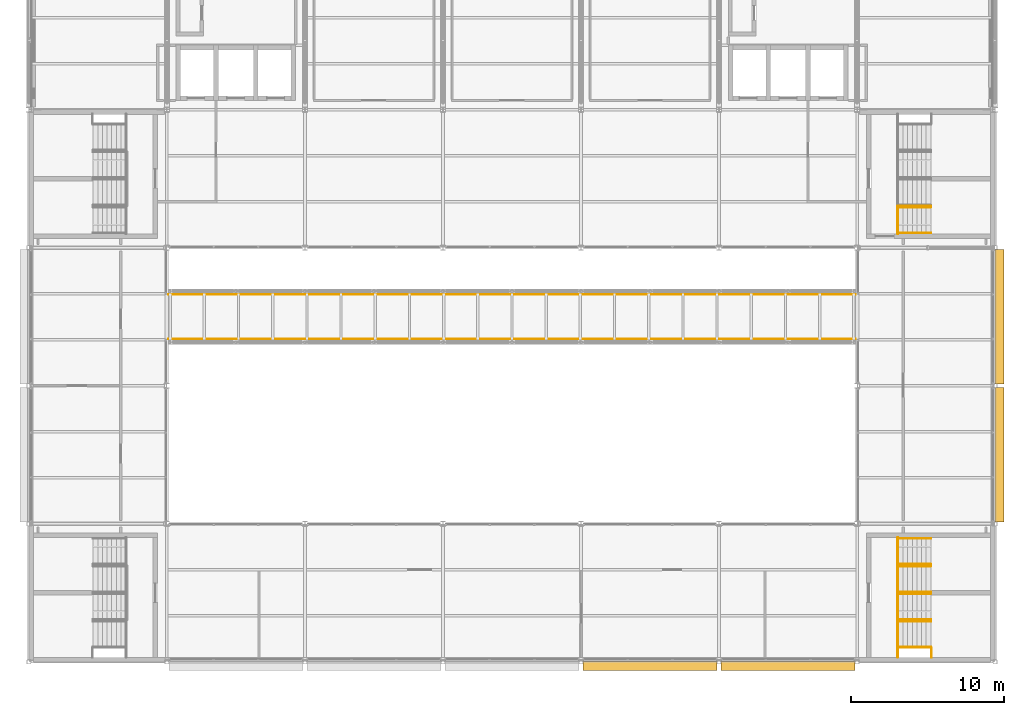
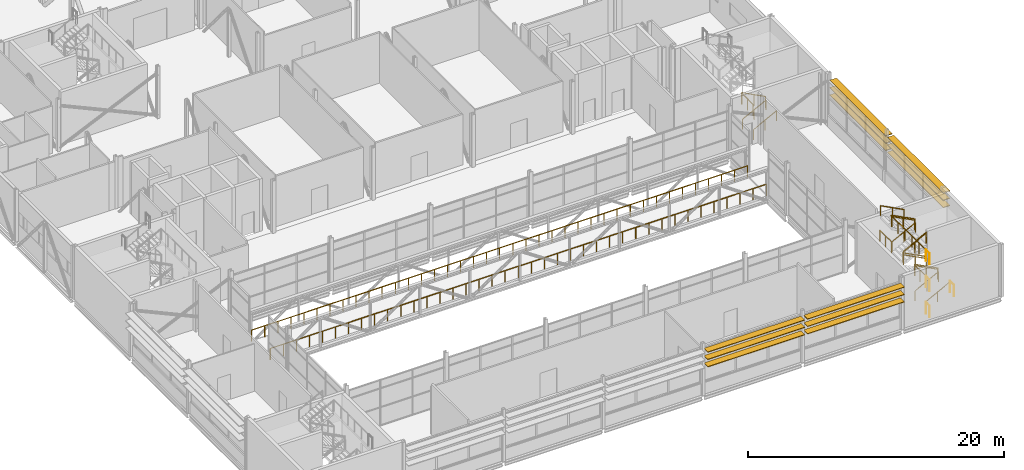
# One storey, part 90 of 94: 25 railings, 12 shading devices.
"""IFC4 building model written with IfcOpenShell, lengths in metres."""

from ifc_helpers import new_model, si_unit, direction, frame, origin, origin_2d, place, context, subcontext, project, spatial, rectangle, circle, extrude, material, layer, layer_set, type_object, element, save


model = new_model("IFC4")

# Units and contexts
model_context = context("Model", 3, precision=1e-05, world=origin(), true_north=direction((0.0, 1.0)))
body_context = subcontext(model_context, "Body", "Model", "MODEL_VIEW")
ifc_project = project(units=[si_unit("LENGTHUNIT", "METRE"), si_unit("AREAUNIT", "SQUARE_METRE"), si_unit("VOLUMEUNIT", "CUBIC_METRE"), si_unit("PLANEANGLEUNIT", "RADIAN"), si_unit("MASSUNIT", "GRAM", prefix="KILO")], contexts=[model_context])

# Site, building, storey
site_placement = place(None, origin())
site = spatial("IfcSite", under=ifc_project, at=site_placement, CompositionType="ELEMENT")
building_placement = place(site_placement, origin())
building = spatial("IfcBuilding", under=site, at=building_placement, Name="Shorebreak Coast Museum", CompositionType="ELEMENT")
storey_placement = place(building_placement, frame((0.0, 0.0, 31.0)))
storey = spatial("IfcBuildingStorey", under=building, at=storey_placement, Name="L05", CompositionType="ELEMENT", Elevation=31.0)

# Shading devices
ifc_material_1 = material(Name="Aluminium", Category="aluminium")
ifc_layer = layer(ifc_material_1, 0.06005859375)
ifc_layer_set = layer_set([ifc_layer], Name="Aluminium")
shading_device_type = type_object("IfcShadingDeviceType", Name="Aluminium louvre blade 60 x 600", PredefinedType="USERDEFINED", material=ifc_layer_set)
for number, where, z_axis, x_axis, name in (
    (1, (117.27490234375, 67.5, 4.238525390625), (0.0, 0.0, 1.0), (1.0, 0.0, 0.0), "Aluminium louvre L05 E31"),
    (2, (117.27490234375, 67.5, 3.53857421875), (0.0, 0.0, 1.0), (1.0, 0.0, 0.0), "Aluminium louvre L05 E32"),
    (3, (117.27490234375, 67.5, 2.838623046875), (0.0, 0.0, 1.0), (1.0, 0.0, 0.0), "Aluminium louvre L05 E33"),
    (4, (117.27490234375, 76.5, 4.238525390625), (0.0, 0.0, 1.0), (1.0, 0.0, 0.0), "Aluminium louvre L05 E34"),
    (5, (117.27490234375, 76.5, 3.53857421875), (0.0, 0.0, 1.0), (1.0, 0.0, 0.0), "Aluminium louvre L05 E35"),
    (6, (117.27490234375, 76.5, 2.838623046875), (0.0, 0.0, 1.0), (1.0, 0.0, 0.0), "Aluminium louvre L05 E36"),
):
    element("IfcShadingDevice", number, at=place(storey_placement, frame(where, z_axis=z_axis, x_axis=x_axis)), inside=storey, type_object=shading_device_type, Name=name, ObjectType="LOUVRE", PredefinedType="USERDEFINED", context=body_context, shape_type="SweptSolid", body=[
        extrude(rectangle(XDim=0.60009765625, YDim=8.75, at=origin_2d()), origin(), (0.0, 0.0, 1.0), 0.06005859375),
    ])
for number, where, z_axis, x_axis, name in (
    (7, (94.5, 53.72509765625, 4.337890625), (0.0, 0.0, 1.0), (1.0, 0.0, 0.0), "Aluminium louvre L05 S46"),
    (8, (94.5, 53.72509765625, 3.6376953125), (0.0, 0.0, 1.0), (1.0, 0.0, 0.0), "Aluminium louvre L05 S47"),
    (9, (94.5, 53.72509765625, 2.937744140625), (0.0, 0.0, 1.0), (1.0, 0.0, 0.0), "Aluminium louvre L05 S48"),
    (10, (103.5, 53.72509765625, 4.337890625), (0.0, 0.0, 1.0), (1.0, 0.0, 0.0), "Aluminium louvre L05 S49"),
    (11, (103.5, 53.72509765625, 3.6376953125), (0.0, 0.0, 1.0), (1.0, 0.0, 0.0), "Aluminium louvre L05 S50"),
    (12, (103.5, 53.72509765625, 2.937744140625), (0.0, 0.0, 1.0), (1.0, 0.0, 0.0), "Aluminium louvre L05 S51"),
):
    element("IfcShadingDevice", number, at=place(storey_placement, frame(where, z_axis=z_axis, x_axis=x_axis)), inside=storey, type_object=shading_device_type, Name=name, ObjectType="LOUVRE", PredefinedType="USERDEFINED", context=body_context, shape_type="SweptSolid", body=[
        extrude(rectangle(XDim=8.75, YDim=0.60009765625, at=origin_2d()), origin(), (0.0, 0.0, 1.0), 0.06005859375),
    ])

# Railings
ifc_material_2 = material(Name="Steel Grade 300", Category="steel")
railing_type_1 = type_object("IfcRailingType", Name="Bridge guard 1100", PredefinedType="GUARDRAIL", material=ifc_material_2)
railing_1_placement = place(storey_placement, frame((63.114501953125, 75.050048828125, 0.0)))
element("IfcRailing", 13, at=railing_1_placement, inside=storey, type_object=railing_type_1, Name="Guard bridge BR3 S", PredefinedType="GUARDRAIL", context=body_context, shape_type="SweptSolid", body=[
    extrude(circle(Radius=0.02490234375, at=origin_2d()), frame((0.0, 0.0, 1.0751953125), z_axis=(1.0, 0.0, 0.0), x_axis=(0.0, 1.0, 0.0)), (0.0, 0.0, 1.0), 44.77099609375),
    extrude(circle(Radius=0.02001953125, at=origin_2d()), origin(), (0.0, 0.0, 1.0), 1.050048828125),
    extrude(circle(Radius=0.02001953125, at=origin_2d()), frame((1.17822265625, 0.0, 0.0)), (0.0, 0.0, 1.0), 1.050048828125),
    extrude(circle(Radius=0.02001953125, at=origin_2d()), frame((2.3564453125, 0.0, 0.0)), (0.0, 0.0, 1.0), 1.050048828125),
    extrude(circle(Radius=0.02001953125, at=origin_2d()), frame((3.53466796875, 0.0, 0.0)), (0.0, 0.0, 1.0), 1.050048828125),
    extrude(circle(Radius=0.02001953125, at=origin_2d()), frame((4.712646484375, 0.0, 0.0)), (0.0, 0.0, 1.0), 1.050048828125),
    extrude(circle(Radius=0.02001953125, at=origin_2d()), frame((5.890869140625, 0.0, 0.0)), (0.0, 0.0, 1.0), 1.050048828125),
    extrude(circle(Radius=0.02001953125, at=origin_2d()), frame((7.069091796875, 0.0, 0.0)), (0.0, 0.0, 1.0), 1.050048828125),
    extrude(circle(Radius=0.02001953125, at=origin_2d()), frame((8.247314453125, 0.0, 0.0)), (0.0, 0.0, 1.0), 1.050048828125),
    extrude(circle(Radius=0.02001953125, at=origin_2d()), frame((9.425537109375, 0.0, 0.0)), (0.0, 0.0, 1.0), 1.050048828125),
    extrude(circle(Radius=0.02001953125, at=origin_2d()), frame((10.603759765625, 0.0, 0.0)), (0.0, 0.0, 1.0), 1.050048828125),
    extrude(circle(Radius=0.02001953125, at=origin_2d()), frame((11.78173828125, 0.0, 0.0)), (0.0, 0.0, 1.0), 1.050048828125),
    extrude(circle(Radius=0.02001953125, at=origin_2d()), frame((12.9599609375, 0.0, 0.0)), (0.0, 0.0, 1.0), 1.050048828125),
    extrude(circle(Radius=0.02001953125, at=origin_2d()), frame((14.13818359375, 0.0, 0.0)), (0.0, 0.0, 1.0), 1.050048828125),
    extrude(circle(Radius=0.02001953125, at=origin_2d()), frame((15.31640625, 0.0, 0.0)), (0.0, 0.0, 1.0), 1.050048828125),
    extrude(circle(Radius=0.02001953125, at=origin_2d()), frame((16.49462890625, 0.0, 0.0)), (0.0, 0.0, 1.0), 1.050048828125),
    extrude(circle(Radius=0.02001953125, at=origin_2d()), frame((17.6728515625, 0.0, 0.0)), (0.0, 0.0, 1.0), 1.050048828125),
    extrude(circle(Radius=0.02001953125, at=origin_2d()), frame((18.850830078125, 0.0, 0.0)), (0.0, 0.0, 1.0), 1.050048828125),
    extrude(circle(Radius=0.02001953125, at=origin_2d()), frame((20.029052734375, 0.0, 0.0)), (0.0, 0.0, 1.0), 1.050048828125),
    extrude(circle(Radius=0.02001953125, at=origin_2d()), frame((21.207275390625, 0.0, 0.0)), (0.0, 0.0, 1.0), 1.050048828125),
    extrude(circle(Radius=0.02001953125, at=origin_2d()), frame((22.385498046875, 0.0, 0.0)), (0.0, 0.0, 1.0), 1.050048828125),
    extrude(circle(Radius=0.02001953125, at=origin_2d()), frame((23.563720703125, 0.0, 0.0)), (0.0, 0.0, 1.0), 1.050048828125),
    extrude(circle(Radius=0.02001953125, at=origin_2d()), frame((24.741943359375, 0.0, 0.0)), (0.0, 0.0, 1.0), 1.050048828125),
    extrude(circle(Radius=0.02001953125, at=origin_2d()), frame((25.920166015625, 0.0, 0.0)), (0.0, 0.0, 1.0), 1.050048828125),
    extrude(circle(Radius=0.02001953125, at=origin_2d()), frame((27.09814453125, 0.0, 0.0)), (0.0, 0.0, 1.0), 1.050048828125),
    extrude(circle(Radius=0.02001953125, at=origin_2d()), frame((28.2763671875, 0.0, 0.0)), (0.0, 0.0, 1.0), 1.050048828125),
    extrude(circle(Radius=0.02001953125, at=origin_2d()), frame((29.45458984375, 0.0, 0.0)), (0.0, 0.0, 1.0), 1.050048828125),
    extrude(circle(Radius=0.02001953125, at=origin_2d()), frame((30.6328125, 0.0, 0.0)), (0.0, 0.0, 1.0), 1.050048828125),
    extrude(circle(Radius=0.02001953125, at=origin_2d()), frame((31.81103515625, 0.0, 0.0)), (0.0, 0.0, 1.0), 1.050048828125),
    extrude(circle(Radius=0.02001953125, at=origin_2d()), frame((32.9892578125, 0.0, 0.0)), (0.0, 0.0, 1.0), 1.050048828125),
    extrude(circle(Radius=0.02001953125, at=origin_2d()), frame((34.167236328125, 0.0, 0.0)), (0.0, 0.0, 1.0), 1.050048828125),
    extrude(circle(Radius=0.02001953125, at=origin_2d()), frame((35.345458984375, 0.0, 0.0)), (0.0, 0.0, 1.0), 1.050048828125),
    extrude(circle(Radius=0.02001953125, at=origin_2d()), frame((36.523681640625, 0.0, 0.0)), (0.0, 0.0, 1.0), 1.050048828125),
    extrude(circle(Radius=0.02001953125, at=origin_2d()), frame((37.701904296875, 0.0, 0.0)), (0.0, 0.0, 1.0), 1.050048828125),
    extrude(circle(Radius=0.02001953125, at=origin_2d()), frame((38.880126953125, 0.0, 0.0)), (0.0, 0.0, 1.0), 1.050048828125),
    extrude(circle(Radius=0.02001953125, at=origin_2d()), frame((40.058349609375, 0.0, 0.0)), (0.0, 0.0, 1.0), 1.050048828125),
    extrude(circle(Radius=0.02001953125, at=origin_2d()), frame((41.236328125, 0.0, 0.0)), (0.0, 0.0, 1.0), 1.050048828125),
    extrude(circle(Radius=0.02001953125, at=origin_2d()), frame((42.41455078125, 0.0, 0.0)), (0.0, 0.0, 1.0), 1.050048828125),
    extrude(circle(Radius=0.02001953125, at=origin_2d()), frame((43.5927734375, 0.0, 0.0)), (0.0, 0.0, 1.0), 1.050048828125),
    extrude(circle(Radius=0.02001953125, at=origin_2d()), frame((44.77099609375, 0.0, 0.0)), (0.0, 0.0, 1.0), 1.050048828125),
])
railing_2_placement = place(storey_placement, frame((63.114501953125, 77.949951171875, 0.0)))
element("IfcRailing", 14, at=railing_2_placement, inside=storey, type_object=railing_type_1, Name="Guard bridge BR3 N", PredefinedType="GUARDRAIL", context=body_context, shape_type="SweptSolid", body=[
    extrude(circle(Radius=0.02490234375, at=origin_2d()), frame((0.0, 0.0, 1.0751953125), z_axis=(1.0, 0.0, 0.0), x_axis=(0.0, 1.0, 0.0)), (0.0, 0.0, 1.0), 44.77099609375),
    extrude(circle(Radius=0.02001953125, at=origin_2d()), origin(), (0.0, 0.0, 1.0), 1.050048828125),
    extrude(circle(Radius=0.02001953125, at=origin_2d()), frame((1.17822265625, 0.0, 0.0)), (0.0, 0.0, 1.0), 1.050048828125),
    extrude(circle(Radius=0.02001953125, at=origin_2d()), frame((2.3564453125, 0.0, 0.0)), (0.0, 0.0, 1.0), 1.050048828125),
    extrude(circle(Radius=0.02001953125, at=origin_2d()), frame((3.53466796875, 0.0, 0.0)), (0.0, 0.0, 1.0), 1.050048828125),
    extrude(circle(Radius=0.02001953125, at=origin_2d()), frame((4.712646484375, 0.0, 0.0)), (0.0, 0.0, 1.0), 1.050048828125),
    extrude(circle(Radius=0.02001953125, at=origin_2d()), frame((5.890869140625, 0.0, 0.0)), (0.0, 0.0, 1.0), 1.050048828125),
    extrude(circle(Radius=0.02001953125, at=origin_2d()), frame((7.069091796875, 0.0, 0.0)), (0.0, 0.0, 1.0), 1.050048828125),
    extrude(circle(Radius=0.02001953125, at=origin_2d()), frame((8.247314453125, 0.0, 0.0)), (0.0, 0.0, 1.0), 1.050048828125),
    extrude(circle(Radius=0.02001953125, at=origin_2d()), frame((9.425537109375, 0.0, 0.0)), (0.0, 0.0, 1.0), 1.050048828125),
    extrude(circle(Radius=0.02001953125, at=origin_2d()), frame((10.603759765625, 0.0, 0.0)), (0.0, 0.0, 1.0), 1.050048828125),
    extrude(circle(Radius=0.02001953125, at=origin_2d()), frame((11.78173828125, 0.0, 0.0)), (0.0, 0.0, 1.0), 1.050048828125),
    extrude(circle(Radius=0.02001953125, at=origin_2d()), frame((12.9599609375, 0.0, 0.0)), (0.0, 0.0, 1.0), 1.050048828125),
    extrude(circle(Radius=0.02001953125, at=origin_2d()), frame((14.13818359375, 0.0, 0.0)), (0.0, 0.0, 1.0), 1.050048828125),
    extrude(circle(Radius=0.02001953125, at=origin_2d()), frame((15.31640625, 0.0, 0.0)), (0.0, 0.0, 1.0), 1.050048828125),
    extrude(circle(Radius=0.02001953125, at=origin_2d()), frame((16.49462890625, 0.0, 0.0)), (0.0, 0.0, 1.0), 1.050048828125),
    extrude(circle(Radius=0.02001953125, at=origin_2d()), frame((17.6728515625, 0.0, 0.0)), (0.0, 0.0, 1.0), 1.050048828125),
    extrude(circle(Radius=0.02001953125, at=origin_2d()), frame((18.850830078125, 0.0, 0.0)), (0.0, 0.0, 1.0), 1.050048828125),
    extrude(circle(Radius=0.02001953125, at=origin_2d()), frame((20.029052734375, 0.0, 0.0)), (0.0, 0.0, 1.0), 1.050048828125),
    extrude(circle(Radius=0.02001953125, at=origin_2d()), frame((21.207275390625, 0.0, 0.0)), (0.0, 0.0, 1.0), 1.050048828125),
    extrude(circle(Radius=0.02001953125, at=origin_2d()), frame((22.385498046875, 0.0, 0.0)), (0.0, 0.0, 1.0), 1.050048828125),
    extrude(circle(Radius=0.02001953125, at=origin_2d()), frame((23.563720703125, 0.0, 0.0)), (0.0, 0.0, 1.0), 1.050048828125),
    extrude(circle(Radius=0.02001953125, at=origin_2d()), frame((24.741943359375, 0.0, 0.0)), (0.0, 0.0, 1.0), 1.050048828125),
    extrude(circle(Radius=0.02001953125, at=origin_2d()), frame((25.920166015625, 0.0, 0.0)), (0.0, 0.0, 1.0), 1.050048828125),
    extrude(circle(Radius=0.02001953125, at=origin_2d()), frame((27.09814453125, 0.0, 0.0)), (0.0, 0.0, 1.0), 1.050048828125),
    extrude(circle(Radius=0.02001953125, at=origin_2d()), frame((28.2763671875, 0.0, 0.0)), (0.0, 0.0, 1.0), 1.050048828125),
    extrude(circle(Radius=0.02001953125, at=origin_2d()), frame((29.45458984375, 0.0, 0.0)), (0.0, 0.0, 1.0), 1.050048828125),
    extrude(circle(Radius=0.02001953125, at=origin_2d()), frame((30.6328125, 0.0, 0.0)), (0.0, 0.0, 1.0), 1.050048828125),
    extrude(circle(Radius=0.02001953125, at=origin_2d()), frame((31.81103515625, 0.0, 0.0)), (0.0, 0.0, 1.0), 1.050048828125),
    extrude(circle(Radius=0.02001953125, at=origin_2d()), frame((32.9892578125, 0.0, 0.0)), (0.0, 0.0, 1.0), 1.050048828125),
    extrude(circle(Radius=0.02001953125, at=origin_2d()), frame((34.167236328125, 0.0, 0.0)), (0.0, 0.0, 1.0), 1.050048828125),
    extrude(circle(Radius=0.02001953125, at=origin_2d()), frame((35.345458984375, 0.0, 0.0)), (0.0, 0.0, 1.0), 1.050048828125),
    extrude(circle(Radius=0.02001953125, at=origin_2d()), frame((36.523681640625, 0.0, 0.0)), (0.0, 0.0, 1.0), 1.050048828125),
    extrude(circle(Radius=0.02001953125, at=origin_2d()), frame((37.701904296875, 0.0, 0.0)), (0.0, 0.0, 1.0), 1.050048828125),
    extrude(circle(Radius=0.02001953125, at=origin_2d()), frame((38.880126953125, 0.0, 0.0)), (0.0, 0.0, 1.0), 1.050048828125),
    extrude(circle(Radius=0.02001953125, at=origin_2d()), frame((40.058349609375, 0.0, 0.0)), (0.0, 0.0, 1.0), 1.050048828125),
    extrude(circle(Radius=0.02001953125, at=origin_2d()), frame((41.236328125, 0.0, 0.0)), (0.0, 0.0, 1.0), 1.050048828125),
    extrude(circle(Radius=0.02001953125, at=origin_2d()), frame((42.41455078125, 0.0, 0.0)), (0.0, 0.0, 1.0), 1.050048828125),
    extrude(circle(Radius=0.02001953125, at=origin_2d()), frame((43.5927734375, 0.0, 0.0)), (0.0, 0.0, 1.0), 1.050048828125),
    extrude(circle(Radius=0.02001953125, at=origin_2d()), frame((44.77099609375, 0.0, 0.0)), (0.0, 0.0, 1.0), 1.050048828125),
])
ifc_material_3 = material(Name="Steel Grade 300", Category="steel")
railing_type_2 = type_object("IfcRailingType", Name="Stair guard 1100", PredefinedType="GUARDRAIL", material=ifc_material_3)
for number, where, name in (
    (15, (110.64990234375, 54.89990234375, 2.5), "Guard ST02 L05 landing mid1"),
    (16, (110.64990234375, 60.300048828125, 2.5), "Guard ST02 L05 landing mid1"),
):
    element("IfcRailing", number, at=place(storey_placement, frame(where)), inside=storey, type_object=railing_type_2, Name=name, PredefinedType="GUARDRAIL", context=body_context, shape_type="SweptSolid", body=[
        extrude(circle(Radius=0.02490234375, at=origin_2d()), frame((0.0, 0.0, 1.0751953125), z_axis=(0.0, 1.0, 0.0), x_axis=(-1.0, 0.0, 0.0)), (0.0, 0.0, 1.0), 1.800048828125),
        extrude(circle(Radius=0.02001953125, at=origin_2d()), origin(), (0.0, 0.0, 1.0), 1.050048828125),
        extrude(circle(Radius=0.02001953125, at=origin_2d()), frame((0.0, 0.89990234375, 0.0)), (0.0, 0.0, 1.0), 1.050048828125),
        extrude(circle(Radius=0.02001953125, at=origin_2d()), frame((0.0, 1.800048828125, 0.0)), (0.0, 0.0, 1.0), 1.050048828125),
    ])
railing_3_placement = place(storey_placement, frame((110.64990234375, 54.89990234375, 5.0)))
element("IfcRailing", 17, at=railing_3_placement, inside=storey, type_object=railing_type_2, Name="Guard ST02 L05 landing top", PredefinedType="GUARDRAIL", context=body_context, shape_type="SweptSolid", body=[
    extrude(circle(Radius=0.02490234375, at=origin_2d()), frame((0.0, 0.0, 1.0751953125), z_axis=(0.0, 1.0, 0.0), x_axis=(-1.0, 0.0, 0.0)), (0.0, 0.0, 1.0), 5.400146484375),
    extrude(circle(Radius=0.02001953125, at=origin_2d()), origin(), (0.0, 0.0, 1.0), 1.050048828125),
    extrude(circle(Radius=0.02001953125, at=origin_2d()), frame((0.0, 1.080078125, 0.0)), (0.0, 0.0, 1.0), 1.050048828125),
    extrude(circle(Radius=0.02001953125, at=origin_2d()), frame((0.0, 2.16015625, 0.0)), (0.0, 0.0, 1.0), 1.050048828125),
    extrude(circle(Radius=0.02001953125, at=origin_2d()), frame((0.0, 3.239990234375, 0.0)), (0.0, 0.0, 1.0), 1.050048828125),
    extrude(circle(Radius=0.02001953125, at=origin_2d()), frame((0.0, 4.320068359375, 0.0)), (0.0, 0.0, 1.0), 1.050048828125),
    extrude(circle(Radius=0.02001953125, at=origin_2d()), frame((0.0, 5.400146484375, 0.0)), (0.0, 0.0, 1.0), 1.050048828125),
])
for number, where, name in (
    (18, (110.64990234375, 54.300048828125, 0.0), "Guard ST02 L05 landing strip"),
    (19, (110.64990234375, 54.300048828125, 2.5), "Guard ST02 L05 landing strip"),
    (20, (112.85009765625, 54.300048828125, 1.25), "Guard ST02 L05 landing strip"),
    (21, (110.64990234375, 54.300048828125, 5.0), "Guard ST02 L05 landing strip"),
):
    element("IfcRailing", number, at=place(storey_placement, frame(where)), inside=storey, type_object=railing_type_2, Name=name, PredefinedType="GUARDRAIL", context=body_context, shape_type="SweptSolid", body=[
        extrude(circle(Radius=0.02490234375, at=origin_2d()), frame((0.0, 0.0, 1.0751953125), z_axis=(0.0, 1.0, 0.0), x_axis=(-1.0, 0.0, 0.0)), (0.0, 0.0, 1.0), 0.599853515625),
        extrude(circle(Radius=0.02001953125, at=origin_2d()), origin(), (0.0, 0.0, 1.0), 1.050048828125),
        extrude(circle(Radius=0.02001953125, at=origin_2d()), frame((0.0, 0.599853515625, 0.0)), (0.0, 0.0, 1.0), 1.050048828125),
    ])
for number, where, name in (
    (22, (112.800048828125, 56.699951171875, 1.40625), "Guard ST02-L05 well 1"),
    (23, (112.800048828125, 60.300048828125, 3.90625), "Guard ST02-L05 well 2"),
    (24, (112.800048828125, 58.5, 1.40625), "Guard ST02-L05 side 1"),
):
    element("IfcRailing", number, at=place(storey_placement, frame(where)), inside=storey, type_object=railing_type_2, Name=name, PredefinedType="GUARDRAIL", context=body_context, shape_type="SweptSolid", body=[
        extrude(circle(Radius=0.02490234375, at=origin_2d()), frame((0.0, 0.0, 1.0751953125), z_axis=(-0.8869228845, 0.0, 0.461917521804), x_axis=(0.0, -1.0, 0.0)), (0.0, 0.0, 1.0), 2.367919921875),
        extrude(circle(Radius=0.02001953125, at=origin_2d()), origin(), (0.0, 0.0, 1.0), 1.050048828125),
        extrude(circle(Radius=0.02001953125, at=origin_2d()), frame((-1.050048828125, 0.0, 0.546875)), (0.0, 0.0, 1.0), 1.050048828125),
        extrude(circle(Radius=0.02001953125, at=origin_2d()), frame((-2.10009765625, 0.0, 1.09375)), (0.0, 0.0, 1.0), 1.050048828125),
    ])
railing_4_placement = place(storey_placement, frame((110.699951171875, 58.5, 2.65625)))
element("IfcRailing", 25, at=railing_4_placement, inside=storey, type_object=railing_type_2, Name="Guard ST02-L05 side 2", PredefinedType="GUARDRAIL", context=body_context, shape_type="SweptSolid", body=[
    extrude(circle(Radius=0.02490234375, at=origin_2d()), frame((0.0, 0.0, 1.0751953125), z_axis=(0.8869228845, 0.0, 0.461917521804), x_axis=(0.0, 1.0, 0.0)), (0.0, 0.0, 1.0), 2.367919921875),
    extrude(circle(Radius=0.02001953125, at=origin_2d()), origin(), (0.0, 0.0, 1.0), 1.050048828125),
    extrude(circle(Radius=0.02001953125, at=origin_2d()), frame((1.050048828125, 0.0, 0.546875)), (0.0, 0.0, 1.0), 1.050048828125),
    extrude(circle(Radius=0.02001953125, at=origin_2d()), frame((2.10009765625, 0.0, 1.09375)), (0.0, 0.0, 1.0), 1.050048828125),
])
railing_5_placement = place(storey_placement, frame((110.64990234375, 81.89990234375, 2.5)))
element("IfcRailing", 26, at=railing_5_placement, inside=storey, type_object=railing_type_2, Name="Guard ST04 L05 landing mid1", PredefinedType="GUARDRAIL", context=body_context, shape_type="SweptSolid", body=[
    extrude(circle(Radius=0.02490234375, at=origin_2d()), frame((0.0, 0.0, 1.0751953125), z_axis=(0.0, 1.0, 0.0), x_axis=(-1.0, 0.0, 0.0)), (0.0, 0.0, 1.0), 1.800048828125),
    extrude(circle(Radius=0.02001953125, at=origin_2d()), origin(), (0.0, 0.0, 1.0), 1.050048828125),
    extrude(circle(Radius=0.02001953125, at=origin_2d()), frame((0.0, 0.89990234375, 0.0)), (0.0, 0.0, 1.0), 1.050048828125),
    extrude(circle(Radius=0.02001953125, at=origin_2d()), frame((0.0, 1.800048828125, 0.0)), (0.0, 0.0, 1.0), 1.050048828125),
])
railing_6_placement = place(storey_placement, frame((112.800048828125, 83.699951171875, 1.40625)))
element("IfcRailing", 27, at=railing_6_placement, inside=storey, type_object=railing_type_2, Name="Guard ST04-L05 well 1", PredefinedType="GUARDRAIL", context=body_context, shape_type="SweptSolid", body=[
    extrude(circle(Radius=0.02490234375, at=origin_2d()), frame((0.0, 0.0, 1.0751953125), z_axis=(-0.8869228845, 0.0, 0.461917521804), x_axis=(0.0, -1.0, 0.0)), (0.0, 0.0, 1.0), 2.367919921875),
    extrude(circle(Radius=0.02001953125, at=origin_2d()), origin(), (0.0, 0.0, 1.0), 1.050048828125),
    extrude(circle(Radius=0.02001953125, at=origin_2d()), frame((-1.050048828125, 0.0, 0.546875)), (0.0, 0.0, 1.0), 1.050048828125),
    extrude(circle(Radius=0.02001953125, at=origin_2d()), frame((-2.10009765625, 0.0, 1.09375)), (0.0, 0.0, 1.0), 1.050048828125),
])
ifc_material_4 = material(Name="Steel Grade 300", Category="steel")
railing_type_3 = type_object("IfcRailingType", Name="Stair handrail 950", PredefinedType="HANDRAIL", material=ifc_material_4)
for number, where, name in (
    (28, (110.699951171875, 54.9599609375, 0.15625), "Handrail ST02-L05 flight 1a"),
    (29, (110.699951171875, 56.639892578125, 0.15625), "Handrail ST02-L05 flight 1b"),
):
    element("IfcRailing", number, at=place(storey_placement, frame(where)), inside=storey, type_object=railing_type_3, Name=name, PredefinedType="HANDRAIL", context=body_context, shape_type="SweptSolid", body=[
        extrude(circle(Radius=0.02490234375, at=origin_2d()), frame((0.0, 0.0, 0.9248046875), z_axis=(0.8869228845, 0.0, 0.461917521804), x_axis=(0.0, 1.0, 0.0)), (0.0, 0.0, 1.0), 2.367919921875),
        extrude(circle(Radius=0.02001953125, at=origin_2d()), origin(), (0.0, 0.0, 1.0), 0.89990234375),
        extrude(circle(Radius=0.02001953125, at=origin_2d()), frame((1.050048828125, 0.0, 0.546875)), (0.0, 0.0, 1.0), 0.89990234375),
        extrude(circle(Radius=0.02001953125, at=origin_2d()), frame((2.10009765625, 0.0, 1.09375)), (0.0, 0.0, 1.0), 0.89990234375),
    ])
for number, where, name in (
    (30, (112.800048828125, 56.760009765625, 1.40625), "Handrail ST02-L05 flight 2a"),
    (31, (112.800048828125, 58.43994140625, 1.40625), "Handrail ST02-L05 flight 2b"),
):
    element("IfcRailing", number, at=place(storey_placement, frame(where)), inside=storey, type_object=railing_type_3, Name=name, PredefinedType="HANDRAIL", context=body_context, shape_type="SweptSolid", body=[
        extrude(circle(Radius=0.02490234375, at=origin_2d()), frame((0.0, 0.0, 0.9248046875), z_axis=(-0.8869228845, 0.0, 0.461917521804), x_axis=(0.0, -1.0, 0.0)), (0.0, 0.0, 1.0), 2.367919921875),
        extrude(circle(Radius=0.02001953125, at=origin_2d()), origin(), (0.0, 0.0, 1.0), 0.89990234375),
        extrude(circle(Radius=0.02001953125, at=origin_2d()), frame((-1.050048828125, 0.0, 0.546875)), (0.0, 0.0, 1.0), 0.89990234375),
        extrude(circle(Radius=0.02001953125, at=origin_2d()), frame((-2.10009765625, 0.0, 1.09375)), (0.0, 0.0, 1.0), 0.89990234375),
    ])
for number, where, name in (
    (32, (110.699951171875, 58.56005859375, 2.65625), "Handrail ST02-L05 flight 3a"),
    (33, (110.699951171875, 60.239990234375, 2.65625), "Handrail ST02-L05 flight 3b"),
):
    element("IfcRailing", number, at=place(storey_placement, frame(where)), inside=storey, type_object=railing_type_3, Name=name, PredefinedType="HANDRAIL", context=body_context, shape_type="SweptSolid", body=[
        extrude(circle(Radius=0.02490234375, at=origin_2d()), frame((0.0, 0.0, 0.9248046875), z_axis=(0.8869228845, 0.0, 0.461917521804), x_axis=(0.0, 1.0, 0.0)), (0.0, 0.0, 1.0), 2.367919921875),
        extrude(circle(Radius=0.02001953125, at=origin_2d()), origin(), (0.0, 0.0, 1.0), 0.89990234375),
        extrude(circle(Radius=0.02001953125, at=origin_2d()), frame((1.050048828125, 0.0, 0.546875)), (0.0, 0.0, 1.0), 0.89990234375),
        extrude(circle(Radius=0.02001953125, at=origin_2d()), frame((2.10009765625, 0.0, 1.09375)), (0.0, 0.0, 1.0), 0.89990234375),
    ])
for number, where, name in (
    (34, (112.800048828125, 60.360107421875, 3.90625), "Handrail ST02-L05 flight 4a"),
    (35, (112.800048828125, 62.0400390625, 3.90625), "Handrail ST02-L05 flight 4b"),
):
    element("IfcRailing", number, at=place(storey_placement, frame(where)), inside=storey, type_object=railing_type_3, Name=name, PredefinedType="HANDRAIL", context=body_context, shape_type="SweptSolid", body=[
        extrude(circle(Radius=0.02490234375, at=origin_2d()), frame((0.0, 0.0, 0.9248046875), z_axis=(-0.8869228845, 0.0, 0.461917521804), x_axis=(0.0, -1.0, 0.0)), (0.0, 0.0, 1.0), 2.367919921875),
        extrude(circle(Radius=0.02001953125, at=origin_2d()), origin(), (0.0, 0.0, 1.0), 0.89990234375),
        extrude(circle(Radius=0.02001953125, at=origin_2d()), frame((-1.050048828125, 0.0, 0.546875)), (0.0, 0.0, 1.0), 0.89990234375),
        extrude(circle(Radius=0.02001953125, at=origin_2d()), frame((-2.10009765625, 0.0, 1.09375)), (0.0, 0.0, 1.0), 0.89990234375),
    ])
for number, where, name in (
    (36, (110.699951171875, 81.9599609375, 0.15625), "Handrail ST04-L05 flight 1a"),
    (37, (110.699951171875, 83.639892578125, 0.15625), "Handrail ST04-L05 flight 1b"),
):
    element("IfcRailing", number, at=place(storey_placement, frame(where)), inside=storey, type_object=railing_type_3, Name=name, PredefinedType="HANDRAIL", context=body_context, shape_type="SweptSolid", body=[
        extrude(circle(Radius=0.02490234375, at=origin_2d()), frame((0.0, 0.0, 0.9248046875), z_axis=(0.8869228845, 0.0, 0.461917521804), x_axis=(0.0, 1.0, 0.0)), (0.0, 0.0, 1.0), 2.367919921875),
        extrude(circle(Radius=0.02001953125, at=origin_2d()), origin(), (0.0, 0.0, 1.0), 0.89990234375),
        extrude(circle(Radius=0.02001953125, at=origin_2d()), frame((1.050048828125, 0.0, 0.546875)), (0.0, 0.0, 1.0), 0.89990234375),
        extrude(circle(Radius=0.02001953125, at=origin_2d()), frame((2.10009765625, 0.0, 1.09375)), (0.0, 0.0, 1.0), 0.89990234375),
    ])

save(model, "model.ifc")
